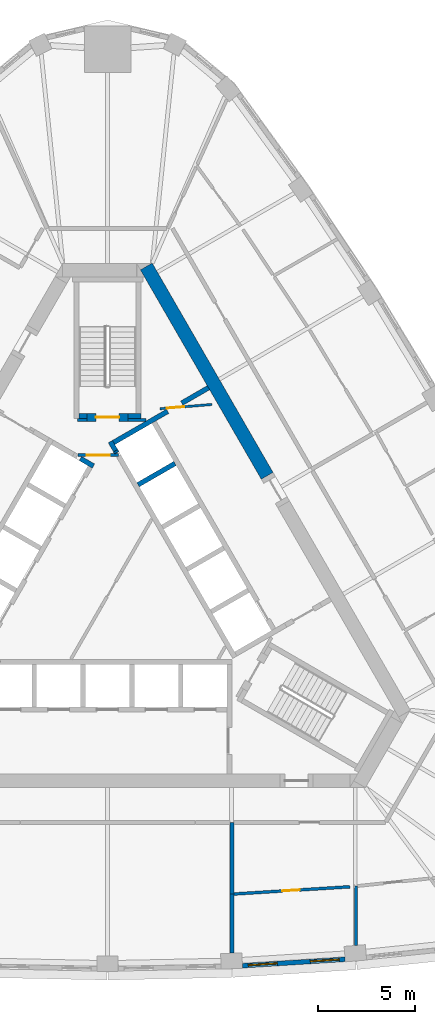
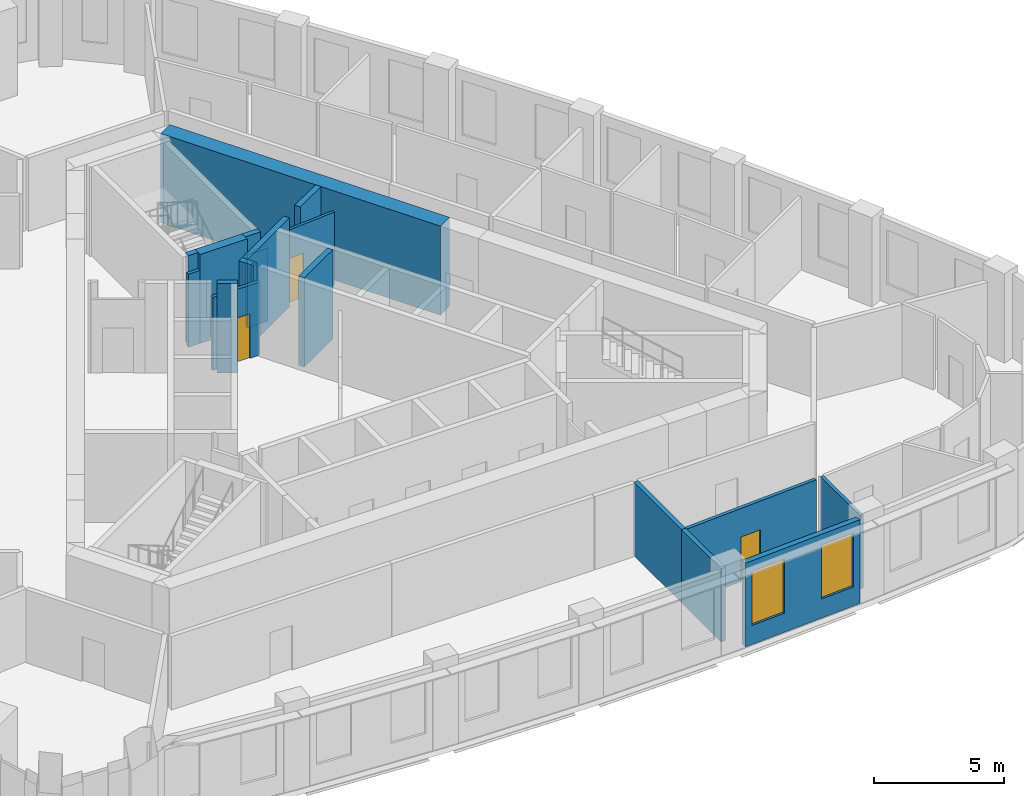
# One storey, part 5 of 10: 19 walls, 4 doors, 2 windows, 6 openings.
"""IFC4 building model written with IfcOpenShell, lengths in metres."""

from ifc_helpers import new_model, si_unit, direction, frame, frame_2d, origin, place, context, subcontext, project, spatial, rectangle, extrude, material, layer, layer_set, type_object, element, fill, save


model = new_model("IFC4")

# Units and contexts
model_context = context("Model", 3, precision=1e-05, world=origin(), true_north=direction((0.0, 1.0)))
body_context = subcontext(model_context, "Body", "Model", "MODEL_VIEW")
ifc_project = project(units=[si_unit("LENGTHUNIT", "METRE"), si_unit("AREAUNIT", "SQUARE_METRE"), si_unit("VOLUMEUNIT", "CUBIC_METRE"), si_unit("PLANEANGLEUNIT", "RADIAN"), si_unit("MASSUNIT", "GRAM", prefix="KILO")], contexts=[model_context])

# Site, building, storey
site_placement = place(None, origin())
site = spatial("IfcSite", under=ifc_project, at=site_placement, CompositionType="ELEMENT")
building_placement = place(site_placement, origin())
building = spatial("IfcBuilding", under=site, at=building_placement, Name="Mestral Congress Tower", CompositionType="ELEMENT")
storey_placement = place(building_placement, frame((0.0, 0.0, 235.199951171875)))
storey = spatial("IfcBuildingStorey", under=building, at=storey_placement, Name="L55", CompositionType="ELEMENT", Elevation=235.199951171875)

# Walls
ifc_material_1 = material(Name="Fire-rated board partition")
ifc_layer_1 = layer(ifc_material_1, 0.14990234375)
ifc_layer_set_1 = layer_set([ifc_layer_1], Name="Fire-rated board partition")
wall_type_1 = type_object("IfcWallType", Name="Core partition 150", PredefinedType="PARTITIONING", material=ifc_layer_set_1)
wall_1_placement = place(storey_placement, frame((1.050048828125, 8.62548828125, 0.0), z_axis=(0.0, 0.0, 1.0), x_axis=(1.0, 0.0, 0.0)))
element("IfcWall", 1, at=wall_1_placement, inside=storey, type_object=wall_type_1, Name="L55 core wall", PredefinedType="PARTITIONING", context=body_context, shape_type="SweptSolid", body=[
    extrude(rectangle(XDim=0.9287109375, YDim=0.14990234375, at=frame_2d((0.46435546875, 0.0))), origin(), (0.0, 0.0, 1.0), 3.449951171875),
])
wall_2_placement = place(storey_placement, frame((-1.56396484375, 8.62548828125, 0.0), z_axis=(0.0, 0.0, 1.0), x_axis=(1.0, 0.0, 0.0)))
element("IfcWall", 2, at=wall_2_placement, inside=storey, type_object=wall_type_1, Name="L55 core wall", PredefinedType="PARTITIONING", context=body_context, shape_type="SweptSolid", body=[
    extrude(rectangle(XDim=0.513916015625, YDim=0.14990234375, at=frame_2d((0.2568359375, 0.0))), origin(), (0.0, 0.0, 1.0), 3.449951171875),
])

# Wall, opening, door
wall_3_placement = place(storey_placement, frame((-1.534423828125, 6.800048828125, 0.0), z_axis=(0.0, 0.0, 1.0), x_axis=(1.0, 0.0, 0.0)))
wall_3 = element("IfcWall", 3, at=wall_3_placement, inside=storey, type_object=wall_type_1, Name="L55 door wall", PredefinedType="PARTITIONING", context=body_context, shape_type="SweptSolid", body=[
    extrude(rectangle(XDim=2.099853515625, YDim=0.14990234375, at=frame_2d((1.0498046875, 0.0))), origin(), (0.0, 0.0, 1.0), 3.449951171875),
])
opening_1_placement = place(wall_3_placement, frame((0.449951171875, 0.0, 0.0)))
opening_1 = element("IfcOpeningElement", 4, at=opening_1_placement, cuts=wall_3, Name="Opening CD2-FF", PredefinedType="OPENING", context=body_context, shape_type="SweptSolid", body=[
    extrude(rectangle(XDim=1.199951171875, YDim=2.10009765625, at=frame_2d((0.60009765625, 1.050048828125))), frame((0.0, 0.0849609375, 0.0), z_axis=(0.0, -1.0, 0.0), x_axis=(1.0, 0.0, 0.0)), (0.0, 0.0, 1.0), 0.169921875),
])
ifc_material_2 = material(Name="Fire-rated steel door set", Category="steel")
door_type_1 = type_object("IfcDoorType", Name="Core door CD 1200x2100", OperationType="SINGLE_SWING_LEFT", PredefinedType="DOOR", material=ifc_material_2)
door_1_placement = place(opening_1_placement, origin())
door_1 = element("IfcDoor", 5, at=door_1_placement, inside=storey, type_object=door_type_1, Name="Door CD2-FF", OperationType="SINGLE_SWING_LEFT", OverallHeight=2.10009765625, OverallWidth=1.199951171875, PredefinedType="DOOR", context=body_context, shape_type="SweptSolid", body=[
    extrude(rectangle(XDim=1.199951171875, YDim=2.10009765625, at=frame_2d((0.60009765625, 1.050048828125))), frame((0.0, 0.02490234375, 0.0), z_axis=(0.0, -1.0, 0.0), x_axis=(1.0, 0.0, 0.0)), (0.0, 0.0, 1.0), 0.050048828125),
])
fill(opening_1, door_1)

ifc_layer_2 = layer(ifc_material_1, 0.1201171875)
ifc_layer_set_2 = layer_set([ifc_layer_2], Name="Fire-rated board partition")
wall_type_2 = type_object("IfcWallType", Name="Core partition 150 door-wall 120", PredefinedType="PARTITIONING", material=ifc_layer_set_2)
wall_4_placement = place(storey_placement, frame((5.3984375, 9.418701171875, 0.0), z_axis=(0.0, 0.0, 1.0), x_axis=(-0.996653416376, -0.081743303248, 0.0)))
wall_4 = element("IfcWall", 6, at=wall_4_placement, inside=storey, type_object=wall_type_2, Name="L55 door wall", PredefinedType="PARTITIONING", context=body_context, shape_type="SweptSolid", body=[
    extrude(rectangle(XDim=2.699951171875, YDim=0.119873046875, at=frame_2d((1.35009765625, 0.0))), origin(), (0.0, 0.0, 1.0), 3.449951171875),
])
opening_2_placement = place(wall_4_placement, frame((1.449951171875, 0.0, 0.0)))
opening_2 = element("IfcOpeningElement", 7, at=opening_2_placement, cuts=wall_4, Name="Opening TD2", PredefinedType="OPENING", context=body_context, shape_type="SweptSolid", body=[
    extrude(rectangle(XDim=0.89990234375, YDim=2.10009765625, at=frame_2d((0.449951171875, 1.050048828125))), frame((0.0, 0.06982421875, 0.0), z_axis=(0.0, -1.0, 0.0), x_axis=(1.0, 0.0, 0.0)), (0.0, 0.0, 1.0), 0.139892578125),
])
door_type_2 = type_object("IfcDoorType", Name="Core door SR 900x2100", OperationType="SINGLE_SWING_LEFT", PredefinedType="DOOR", material=ifc_material_2)
door_2_placement = place(opening_2_placement, origin())
door_2 = element("IfcDoor", 8, at=door_2_placement, inside=storey, type_object=door_type_2, Name="Door TD2", OperationType="SINGLE_SWING_LEFT", OverallHeight=2.10009765625, OverallWidth=0.89990234375, PredefinedType="DOOR", context=body_context, shape_type="SweptSolid", body=[
    extrude(rectangle(XDim=0.89990234375, YDim=2.10009765625, at=frame_2d((0.449951171875, 1.050048828125))), frame((0.0, 0.02490234375, 0.0), z_axis=(0.0, -1.0, 0.0), x_axis=(1.0, 0.0, 0.0)), (0.0, 0.0, 1.0), 0.050048828125),
])
fill(opening_2, door_2)

# Wall
ifc_material_3 = material(Name="Concrete C60/75", Category="concrete")
ifc_layer_3 = layer(ifc_material_3, 0.699951171875)
ifc_layer_set_3 = layer_set([ifc_layer_3], Name="Concrete C60/75")
wall_type_3 = type_object("IfcWallType", Name="Core wall RC 700", PredefinedType="SOLIDWALL", material=ifc_layer_set_3)
wall_5_placement = place(storey_placement, frame((8.235107421875, 5.736083984375, 0.0), z_axis=(0.0, 0.0, 1.0), x_axis=(-0.499983401189, 0.8660349869, 0.0)))
element("IfcWall", 9, at=wall_5_placement, inside=storey, type_object=wall_type_3, Name="L55 core wall", PredefinedType="SOLIDWALL", context=body_context, shape_type="SweptSolid", body=[
    extrude(rectangle(XDim=12.47216796875, YDim=0.699951171875, at=frame_2d((6.236083984375, 0.0))), origin(), (0.0, 0.0, 1.0), 4.199951171875),
])

# Wall, openings, windows
ifc_material_4 = material(Name="Precast concrete C40/50 with limestone facing", Category="masonry")
ifc_layer_4 = layer(ifc_material_4, 0.239990234375)
ifc_layer_set_4 = layer_set([ifc_layer_4], Name="Precast concrete C40/50 with limestone facing")
wall_type_4 = type_object("IfcWallType", Name="Facade stone wall 240", PredefinedType="SOLIDWALL", material=ifc_layer_set_4)
wall_6_placement = place(storey_placement, frame((6.965087890625, -19.54296875, 0.0), z_axis=(0.0, 0.0, 1.0), x_axis=(0.9980633213, 0.062206162685, 0.0)))
wall_6 = element("IfcWall", 10, at=wall_6_placement, inside=storey, type_object=wall_type_4, Name="Facade wall F0-04", PredefinedType="SOLIDWALL", context=body_context, shape_type="SweptSolid", body=[
    extrude(rectangle(XDim=5.29833984375, YDim=0.239990234375, at=frame_2d((2.649169921875, 0.0))), origin(), (0.0, 0.0, 1.0), 3.949951171875),
])
opening_3_placement = place(wall_6_placement, frame((0.294677734375, 0.0, 0.89990234375)))
opening_3 = element("IfcOpeningElement", 11, at=opening_3_placement, cuts=wall_6, Name="Opening W4", PredefinedType="OPENING", context=body_context, shape_type="SweptSolid", body=[
    extrude(rectangle(XDim=1.5, YDim=2.550048828125, at=frame_2d((0.75, 1.27490234375))), frame((0.0, 0.1298828125, 0.0), z_axis=(0.0, -1.0, 0.0), x_axis=(1.0, 0.0, 0.0)), (0.0, 0.0, 1.0), 0.260009765625),
])
opening_4_placement = place(wall_6_placement, frame((3.503662109375, 0.0, 0.89990234375)))
opening_4 = element("IfcOpeningElement", 12, at=opening_4_placement, cuts=wall_6, Name="Opening W4", PredefinedType="OPENING", context=body_context, shape_type="SweptSolid", body=[
    extrude(rectangle(XDim=1.5, YDim=2.550048828125, at=frame_2d((0.75, 1.27490234375))), frame((0.0, 0.1298828125, 0.0), z_axis=(0.0, -1.0, 0.0), x_axis=(1.0, 0.0, 0.0)), (0.0, 0.0, 1.0), 0.260009765625),
])
ifc_material_5 = material(Name="Clear low-emissivity double glazing", Category="glass")
window_type = type_object("IfcWindowType", Name="Facade punched window 1500 x 2550 sill 900", PartitioningType="SINGLE_PANEL", PredefinedType="WINDOW", material=ifc_material_5)
window_1_placement = place(opening_3_placement, origin())
window_1 = element("IfcWindow", 13, at=window_1_placement, inside=storey, type_object=window_type, Name="Window F0-04a", OverallHeight=2.550048828125, OverallWidth=1.5, PartitioningType="SINGLE_PANEL", PredefinedType="WINDOW", context=body_context, shape_type="SweptSolid", body=[
    extrude(rectangle(XDim=1.5, YDim=2.550048828125, at=frame_2d((0.75, 1.27490234375))), frame((0.0, 0.0400390625, 0.0), z_axis=(0.0, -1.0, 0.0), x_axis=(1.0, 0.0, 0.0)), (0.0, 0.0, 1.0), 0.06005859375),
])
fill(opening_3, window_1)
window_2_placement = place(opening_4_placement, origin())
window_2 = element("IfcWindow", 14, at=window_2_placement, inside=storey, type_object=window_type, Name="Window F0-04b", OverallHeight=2.550048828125, OverallWidth=1.5, PartitioningType="SINGLE_PANEL", PredefinedType="WINDOW", context=body_context, shape_type="SweptSolid", body=[
    extrude(rectangle(XDim=1.5, YDim=2.550048828125, at=frame_2d((0.75, 1.27490234375))), frame((0.0, 0.0400390625, 0.0), z_axis=(0.0, -1.0, 0.0), x_axis=(1.0, 0.0, 0.0)), (0.0, 0.0, 1.0), 0.06005859375),
])
fill(opening_4, window_2)

# Wall
ifc_material_6 = material(Name="Plasterboard partition on steel studs", Category="steel")
ifc_layer_5 = layer(ifc_material_6, 0.14990234375)
ifc_layer_set_5 = layer_set([ifc_layer_5], Name="Plasterboard partition on steel studs")
wall_type_5 = type_object("IfcWallType", Name="Office partition 150", PredefinedType="PARTITIONING", material=ifc_layer_set_5)
wall_7_placement = place(storey_placement, frame((12.822509765625, -15.437255859375, 0.0), z_axis=(0.0, 0.0, 1.0), x_axis=(0.0, -1.0, 0.0)))
element("IfcWall", 15, at=wall_7_placement, inside=storey, type_object=wall_type_5, Name="Partition", PredefinedType="PARTITIONING", context=body_context, shape_type="SweptSolid", body=[
    extrude(rectangle(XDim=3.057861328125, YDim=0.14990234375, at=frame_2d((1.52880859375, 0.0))), origin(), (0.0, 0.0, 1.0), 3.449951171875),
])

# Wall, opening, door
wall_8_placement = place(storey_placement, frame((12.5, -15.470703125, 0.0), z_axis=(0.0, 0.0, 1.0), x_axis=(-0.998061916726, -0.0622286942, 0.0)))
wall_8 = element("IfcWall", 16, at=wall_8_placement, inside=storey, type_object=wall_type_5, Name="Partition", PredefinedType="PARTITIONING", context=body_context, shape_type="SweptSolid", body=[
    extrude(rectangle(XDim=5.994873046875, YDim=0.14990234375, at=frame_2d((2.99755859375, 0.0))), origin(), (0.0, 0.0, 1.0), 3.449951171875),
])
opening_5_placement = place(wall_8_placement, frame((2.5947265625, 0.0, 0.0)))
opening_5 = element("IfcOpeningElement", 17, at=opening_5_placement, cuts=wall_8, Name="Opening O08-007", PredefinedType="OPENING", context=body_context, shape_type="SweptSolid", body=[
    extrude(rectangle(XDim=0.89990234375, YDim=2.10009765625, at=frame_2d((0.449951171875, 1.050048828125))), frame((0.0, 0.0849609375, 0.0), z_axis=(0.0, -1.0, 0.0), x_axis=(1.0, 0.0, 0.0)), (0.0, 0.0, 1.0), 0.169921875),
])
ifc_material_7 = material(Name="Timber door set", Category="wood")
door_type_3 = type_object("IfcDoorType", Name="Office door 900x2100", OperationType="SINGLE_SWING_LEFT", PredefinedType="DOOR", material=ifc_material_7)
door_3_placement = place(opening_5_placement, origin())
door_3 = element("IfcDoor", 18, at=door_3_placement, inside=storey, type_object=door_type_3, Name="Door O08-007", OperationType="SINGLE_SWING_RIGHT", OverallHeight=2.10009765625, OverallWidth=0.89990234375, PredefinedType="DOOR", context=body_context, shape_type="SweptSolid", body=[
    extrude(rectangle(XDim=0.89990234375, YDim=2.10009765625, at=frame_2d((0.449951171875, 1.050048828125))), frame((0.0, 0.02490234375, 0.0), z_axis=(0.0, -1.0, 0.0), x_axis=(1.0, 0.0, 0.0)), (0.0, 0.0, 1.0), 0.050048828125),
])
fill(opening_5, door_3)

# Walls
ifc_material_8 = material(Name="Dense masonry wall, plastered", Category="masonry")
ifc_layer_6 = layer(ifc_material_8, 0.199951171875)
ifc_layer_set_6 = layer_set([ifc_layer_6], Name="Dense masonry wall, plastered")
wall_type_6 = type_object("IfcWallType", Name="Office tenancy wall 200", PredefinedType="PARTITIONING", material=ifc_layer_set_6)
wall_9_placement = place(storey_placement, frame((6.416748046875, -15.845947265625, 0.0), z_axis=(0.0, 0.0, 1.0), x_axis=(0.0, -1.0, 0.0)))
element("IfcWall", 19, at=wall_9_placement, inside=storey, type_object=wall_type_6, Name="Tenancy wall", PredefinedType="PARTITIONING", context=body_context, shape_type="SweptSolid", body=[
    extrude(rectangle(XDim=3.05078125, YDim=0.199951171875, at=frame_2d((1.525390625, 0.0))), origin(), (0.0, 0.0, 1.0), 3.449951171875),
])
wall_10_placement = place(storey_placement, frame((6.416748046875, -12.14990234375, 0.0), z_axis=(0.0, 0.0, 1.0), x_axis=(0.0, -1.0, 0.0)))
element("IfcWall", 20, at=wall_10_placement, inside=storey, type_object=wall_type_6, Name="Tenancy wall", PredefinedType="PARTITIONING", context=body_context, shape_type="SweptSolid", body=[
    extrude(rectangle(XDim=3.7041015625, YDim=0.199951171875, at=frame_2d((1.85205078125, 0.0))), origin(), (0.0, 0.0, 1.0), 3.449951171875),
])
ifc_layer_7 = layer(ifc_material_3, 0.25)
ifc_layer_set_7 = layer_set([ifc_layer_7], Name="Concrete C60/75")
wall_type_7 = type_object("IfcWallType", Name="Shaft wall RC 250", PredefinedType="SOLIDWALL", material=ifc_layer_set_7)
wall_11_placement = place(storey_placement, frame((0.473388671875, 6.93017578125, 0.0), z_axis=(0.0, 0.0, 1.0), x_axis=(-0.49972245349, 0.866185586049, 0.0)))
element("IfcWall", 21, at=wall_11_placement, inside=storey, type_object=wall_type_7, Name="L55 core wall", PredefinedType="SOLIDWALL", context=body_context, shape_type="SweptSolid", body=[
    extrude(rectangle(XDim=0.10986328125, YDim=0.25, at=frame_2d((0.054931640625, 0.0))), origin(), (0.0, 0.0, 1.0), 4.199951171875),
])
wall_12_placement = place(storey_placement, frame((0.41748046875, 7.027099609375, 0.0), z_axis=(0.0, 0.0, 1.0), x_axis=(-0.500210807569, 0.865903659763, 0.0)))
element("IfcWall", 22, at=wall_12_placement, inside=storey, type_object=wall_type_7, Name="L55 core wall", PredefinedType="SOLIDWALL", context=body_context, shape_type="SweptSolid", body=[
    extrude(rectangle(XDim=0.548095703125, YDim=0.25, at=frame_2d((0.27392578125, 0.0))), origin(), (0.0, 0.0, 1.0), 4.199951171875),
])
wall_13_placement = place(storey_placement, frame((3.10009765625, 9.064453125, 0.0), z_axis=(0.0, 0.0, 1.0), x_axis=(-0.866030133475, -0.499991807846, 0.0)))
element("IfcWall", 23, at=wall_13_placement, inside=storey, type_object=wall_type_7, Name="L55 core wall", PredefinedType="SOLIDWALL", context=body_context, shape_type="SweptSolid", body=[
    extrude(rectangle(XDim=3.216796875, YDim=0.25, at=frame_2d((1.6083984375, 0.0))), origin(), (0.0, 0.0, 1.0), 4.199951171875),
])
wall_14_placement = place(storey_placement, frame((1.57421875, 5.273681640625, 0.0), z_axis=(0.0, 0.0, 1.0), x_axis=(0.866028486751, 0.499994660107, 0.0)))
element("IfcWall", 24, at=wall_14_placement, inside=storey, type_object=wall_type_7, Name="L55 core wall", PredefinedType="SOLIDWALL", context=body_context, shape_type="SweptSolid", body=[
    extrude(rectangle(XDim=2.19970703125, YDim=0.25, at=frame_2d((1.099853515625, 0.0))), origin(), (0.0, 0.0, 1.0), 4.199951171875),
])
wall_15_placement = place(storey_placement, frame((3.82958984375, 9.485595703125, 0.0), z_axis=(0.0, 0.0, 1.0), x_axis=(0.865986202621, 0.500067892261, 0.0)))
element("IfcWall", 25, at=wall_15_placement, inside=storey, type_object=wall_type_7, Name="L55 core wall", PredefinedType="SOLIDWALL", context=body_context, shape_type="SweptSolid", body=[
    extrude(rectangle(XDim=1.590576171875, YDim=0.25, at=frame_2d((0.79541015625, 0.0))), origin(), (0.0, 0.0, 1.0), 4.199951171875),
])
wall_16_placement = place(storey_placement, frame((-0.7275390625, 6.23974609375, 0.0), z_axis=(0.0, 0.0, 1.0), x_axis=(-0.865955664968, 0.500120771724, 0.0)))
element("IfcWall", 26, at=wall_16_placement, inside=storey, type_object=wall_type_7, Name="L55 core wall", PredefinedType="SOLIDWALL", context=body_context, shape_type="SweptSolid", body=[
    extrude(rectangle(XDim=0.778076171875, YDim=0.25, at=frame_2d((0.38916015625, 0.0))), origin(), (0.0, 0.0, 1.0), 4.199951171875),
])
ifc_layer_8 = layer(ifc_material_3, 0.25)
ifc_layer_set_8 = layer_set([ifc_layer_8], Name="Concrete C60/75")
wall_type_8 = type_object("IfcWallType", Name="Stair wall RC 250", PredefinedType="SOLIDWALL", material=ifc_layer_set_8)
wall_17_placement = place(storey_placement, frame((1.050048828125, 8.824951171875, 0.0), z_axis=(0.0, 0.0, 1.0), x_axis=(1.0, 0.0, 0.0)))
element("IfcWall", 27, at=wall_17_placement, inside=storey, type_object=wall_type_8, Name="L55 core wall", PredefinedType="SOLIDWALL", context=body_context, shape_type="SweptSolid", body=[
    extrude(rectangle(XDim=0.675048828125, YDim=0.25, at=frame_2d((0.33740234375, 0.0))), origin(), (0.0, 0.0, 1.0), 4.199951171875),
])
wall_18_placement = place(storey_placement, frame((-1.47509765625, 8.824951171875, 0.0), z_axis=(0.0, 0.0, 1.0), x_axis=(1.0, 0.0, 0.0)))
element("IfcWall", 28, at=wall_18_placement, inside=storey, type_object=wall_type_8, Name="L55 core wall", PredefinedType="SOLIDWALL", context=body_context, shape_type="SweptSolid", body=[
    extrude(rectangle(XDim=0.425048828125, YDim=0.25, at=frame_2d((0.21240234375, 0.0))), origin(), (0.0, 0.0, 1.0), 4.199951171875),
])

# Wall, opening, door
ifc_layer_9 = layer(ifc_material_3, 0.39990234375)
ifc_layer_set_9 = layer_set([ifc_layer_9], Name="Concrete C60/75")
wall_type_9 = type_object("IfcWallType", Name="Stair wall RC 250 door-wall 400", PredefinedType="SOLIDWALL", material=ifc_layer_set_9)
wall_19_placement = place(storey_placement, frame((1.050048828125, 8.75, 0.0), z_axis=(0.0, 0.0, 1.0), x_axis=(-1.0, 0.0, 0.0)))
wall_19 = element("IfcWall", 29, at=wall_19_placement, inside=storey, type_object=wall_type_9, Name="L55 door wall", PredefinedType="SOLIDWALL", context=body_context, shape_type="SweptSolid", body=[
    extrude(rectangle(XDim=2.10009765625, YDim=0.39990234375, at=frame_2d((1.050048828125, 0.0))), origin(), (0.0, 0.0, 1.0), 4.199951171875),
])
opening_6_placement = place(wall_19_placement, frame((0.449951171875, 0.0, 0.0)))
opening_6 = element("IfcOpeningElement", 30, at=opening_6_placement, cuts=wall_19, Name="Opening ST-D2", PredefinedType="OPENING", context=body_context, shape_type="SweptSolid", body=[
    extrude(rectangle(XDim=1.199951171875, YDim=2.10009765625, at=frame_2d((0.60009765625, 1.050048828125))), frame((0.0, 0.2099609375, 0.0), z_axis=(0.0, -1.0, 0.0), x_axis=(1.0, 0.0, 0.0)), (0.0, 0.0, 1.0), 0.419921875),
])
door_type_4 = type_object("IfcDoorType", Name="Core door ST 1200x2100", OperationType="SINGLE_SWING_LEFT", PredefinedType="DOOR", material=ifc_material_2)
door_4_placement = place(opening_6_placement, origin())
door_4 = element("IfcDoor", 31, at=door_4_placement, inside=storey, type_object=door_type_4, Name="Door ST-D2", OperationType="SINGLE_SWING_LEFT", OverallHeight=2.10009765625, OverallWidth=1.199951171875, PredefinedType="DOOR", context=body_context, shape_type="SweptSolid", body=[
    extrude(rectangle(XDim=1.199951171875, YDim=2.10009765625, at=frame_2d((0.60009765625, 1.050048828125))), frame((0.0, 0.02490234375, 0.0), z_axis=(0.0, -1.0, 0.0), x_axis=(1.0, 0.0, 0.0)), (0.0, 0.0, 1.0), 0.050048828125),
])
fill(opening_6, door_4)

save(model, "model.ifc")
